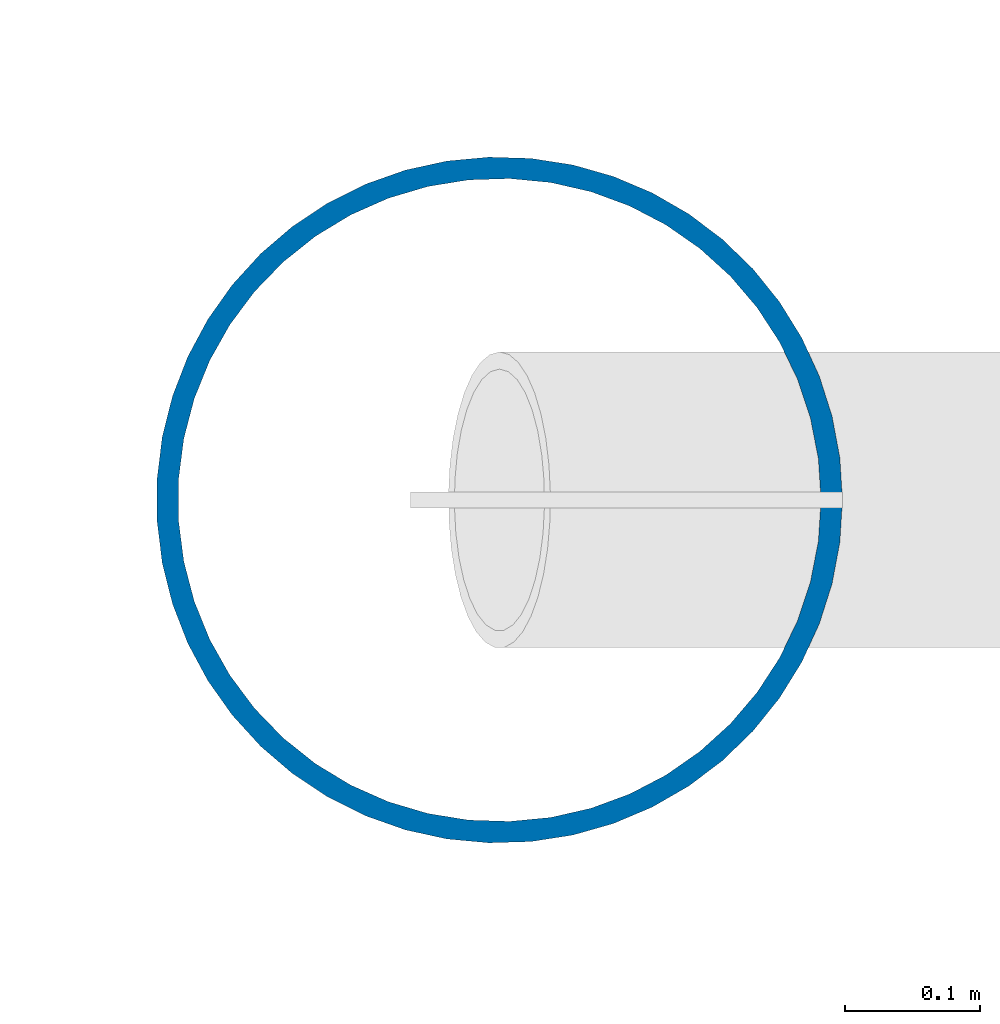
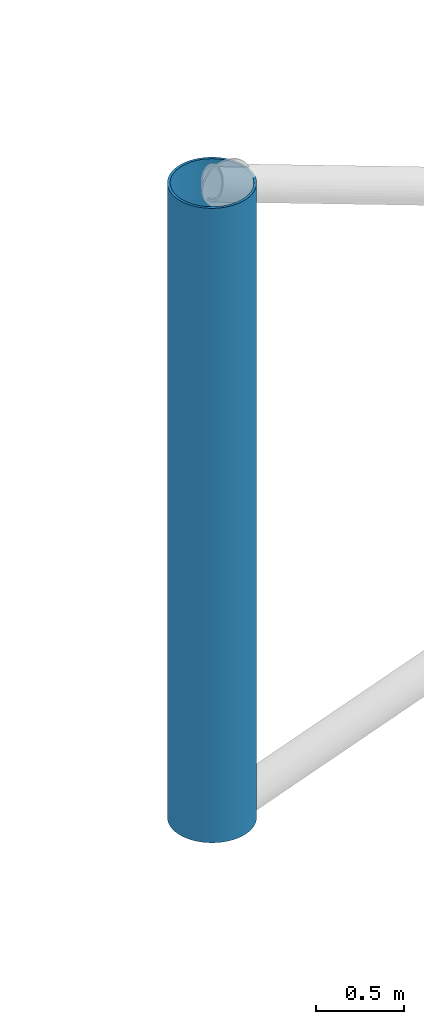
# One storey, part 9 of 115: 1 column.
"""IFC4 building model written with IfcOpenShell, lengths in metres."""

from ifc_helpers import new_model, si_unit, direction, frame, origin, origin_2d, place, context, subcontext, project, spatial, hollow_circle, extrude, material, material_profile, profile_set, type_object, element, save


model = new_model("IFC4")

# Units and contexts
model_context = context("Model", 3, precision=1e-05, world=origin(), true_north=direction((0.0, 1.0)))
body_context = subcontext(model_context, "Body", "Model", "MODEL_VIEW")
ifc_project = project(units=[si_unit("LENGTHUNIT", "METRE"), si_unit("AREAUNIT", "SQUARE_METRE"), si_unit("VOLUMEUNIT", "CUBIC_METRE"), si_unit("PLANEANGLEUNIT", "RADIAN"), si_unit("MASSUNIT", "GRAM", prefix="KILO")], contexts=[model_context])

# Site, building, storey
site_placement = place(None, origin())
site = spatial("IfcSite", under=ifc_project, at=site_placement, CompositionType="ELEMENT")
building_placement = place(site_placement, origin())
building = spatial("IfcBuilding", under=site, at=building_placement, Name="Windward Yard Aquatics Centre", CompositionType="ELEMENT")
storey_placement = place(building_placement, frame((0.0, 0.0, 5.0)))
storey = spatial("IfcBuildingStorey", under=building, at=storey_placement, Name="L01", CompositionType="ELEMENT", Elevation=5.0)

# Column
ifc_material = material(Name="Steel ASTM A500 Gr C", Category="steel")
ifc_material_profile = material_profile(ifc_material, hollow_circle(Radius=0.25390625, WallThickness=0.015869140625, at=origin_2d()), Name="HSS508X15.9")
ifc_profile_set = profile_set([ifc_material_profile], Name="Steel ASTM A500 Gr C")
column_type = type_object("IfcColumnType", Name="H arch column HSS508X15.9", PredefinedType="COLUMN", material=ifc_profile_set)
column_placement = place(storey_placement, frame((132.0, 41.60009765625, 0.0), z_axis=(0.0, 0.0, 1.0), x_axis=(1.0, 0.0, 0.0)))
element("IfcColumn", 1, at=column_placement, inside=storey, type_object=column_type, Name="H.AC.S7.L01", PredefinedType="COLUMN", context=body_context, shape_type="SweptSolid", body=[
    extrude(hollow_circle(Radius=0.25390625, WallThickness=0.015869140625, at=origin_2d()), origin(), (0.0, 0.0, 1.0), 4.39990234375),
])

save(model, "model.ifc")
